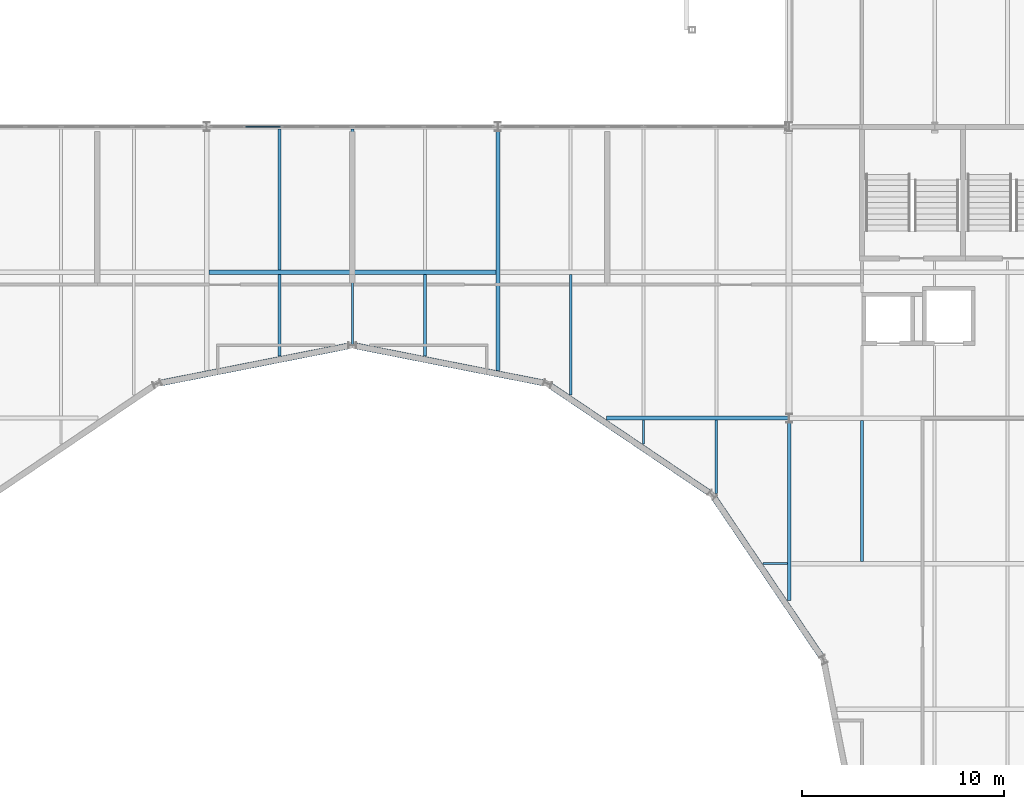
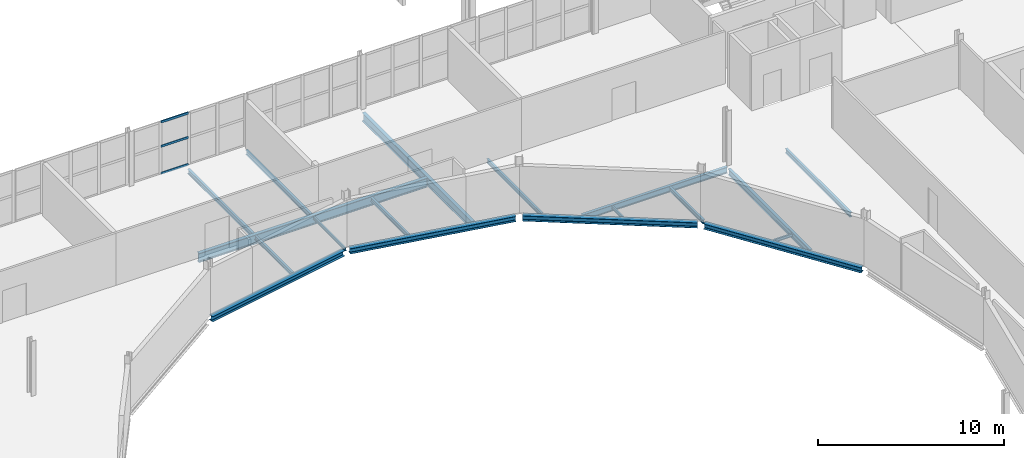
# One storey, part 42 of 124: 18 beams, 3 members, 1 element without a shape of its own.
"""IFC4 building model written with IfcOpenShell, lengths in metres."""

from ifc_helpers import new_model, si_unit, direction, frame, origin, origin_2d, place, context, subcontext, project, spatial, rectangle, i_section, extrude, material, material_profile, profile_set, type_object, element, aggregate, save


model = new_model("IFC4")

# Units and contexts
model_context = context("Model", 3, precision=1e-05, world=origin(), true_north=direction((0.0, 1.0)))
body_context = subcontext(model_context, "Body", "Model", "MODEL_VIEW")
ifc_project = project(units=[si_unit("LENGTHUNIT", "METRE"), si_unit("AREAUNIT", "SQUARE_METRE"), si_unit("VOLUMEUNIT", "CUBIC_METRE"), si_unit("PLANEANGLEUNIT", "RADIAN"), si_unit("MASSUNIT", "GRAM", prefix="KILO")], contexts=[model_context])

# Site, building, storey
site_placement = place(None, origin())
site = spatial("IfcSite", under=ifc_project, at=site_placement, CompositionType="ELEMENT")
building_placement = place(site_placement, origin())
building = spatial("IfcBuilding", under=site, at=building_placement, Name="Kupolbacken Congress Centre", CompositionType="ELEMENT")
storey_placement = place(building_placement, frame((0.0, 0.0, 10.800048828125)))
storey = spatial("IfcBuildingStorey", under=building, at=storey_placement, Name="L03", CompositionType="ELEMENT", Elevation=10.800048828125)

# Beams
ifc_material_1 = material(Name="Steel S355", Category="steel")
ifc_material_profile_1 = material_profile(ifc_material_1, i_section(OverallWidth=0.10009765625, OverallDepth=0.199951171875, WebThickness=0.005615234375, FlangeThickness=0.008544921875, FilletRadius=0.011962890625, at=origin_2d()), Name="IPE 200")
ifc_profile_set_1 = profile_set([ifc_material_profile_1], Name="Steel S355")
beam_type_1 = type_object("IfcBeamType", Name="B01 beam IPE 200", PredefinedType="BEAM", material=ifc_profile_set_1)
beam_1_placement = place(storey_placement, frame((63.50927734375, 100.800048828125, -0.280029296875), z_axis=(1.0, 0.0, 0.0), x_axis=(0.0, 1.0, 0.0)))
element("IfcBeam", 1, at=beam_1_placement, inside=storey, type_object=beam_type_1, Name="S/floor/P/L03/R059", PredefinedType="BEAM", context=body_context, shape_type="SweptSolid", body=[
    extrude(i_section(OverallWidth=0.10009765625, OverallDepth=0.199951171875, WebThickness=0.005615234375, FlangeThickness=0.008544921875, FilletRadius=0.011962890625, at=origin_2d()), origin(), (0.0, 0.0, 1.0), 1.20068359375),
])
beam_2_placement = place(storey_placement, frame((43.199951171875, 111.606689453125, -0.280029296875), z_axis=(0.0, 1.0, 0.0), x_axis=(-1.0, 0.0, 0.0)))
element("IfcBeam", 2, at=beam_2_placement, inside=storey, type_object=beam_type_1, Name="S/floor/P/L03/S118", PredefinedType="BEAM", context=body_context, shape_type="SweptSolid", body=[
    extrude(i_section(OverallWidth=0.10009765625, OverallDepth=0.199951171875, WebThickness=0.005615234375, FlangeThickness=0.008544921875, FilletRadius=0.011962890625, at=origin_2d()), origin(), (0.0, 0.0, 1.0), 3.4833984375),
])
beam_3_placement = place(storey_placement, frame((57.60009765625, 106.709228515625, -0.280029296875), z_axis=(0.0, 1.0, 0.0), x_axis=(-1.0, 0.0, 0.0)))
element("IfcBeam", 3, at=beam_3_placement, inside=storey, type_object=beam_type_1, Name="S/floor/P/L03/S131", PredefinedType="BEAM", context=body_context, shape_type="SweptSolid", body=[
    extrude(i_section(OverallWidth=0.10009765625, OverallDepth=0.199951171875, WebThickness=0.005615234375, FlangeThickness=0.008544921875, FilletRadius=0.011962890625, at=origin_2d()), origin(), (0.0, 0.0, 1.0), 1.20068359375),
])
ifc_material_2 = material(Name="Steel S355", Category="steel")
ifc_material_profile_2 = material_profile(ifc_material_2, i_section(OverallWidth=0.135009765625, OverallDepth=0.27001953125, WebThickness=0.006591796875, FlangeThickness=0.01025390625, FilletRadius=0.014892578125, at=origin_2d()), Name="IPE 270")
ifc_profile_set_2 = profile_set([ifc_material_profile_2], Name="Steel S355")
beam_type_2 = type_object("IfcBeamType", Name="B03 beam IPE 270", PredefinedType="BEAM", material=ifc_profile_set_2)
for number, where, z_axis, x_axis, name in (
    (4, (39.60009765625, 111.057373046875, -0.31494140625), (0.0, 1.0, 0.0), (-1.0, 0.0, 0.0), "S/floor/P/L03/S114"),
    (5, (46.800048828125, 111.057373046875, -0.31494140625), (0.0, 1.0, 0.0), (-1.0, 0.0, 0.0), "S/floor/P/L03/S122"),
):
    element("IfcBeam", number, at=place(storey_placement, frame(where, z_axis=z_axis, x_axis=x_axis)), inside=storey, type_object=beam_type_2, Name=name, PredefinedType="BEAM", context=body_context, shape_type="SweptSolid", body=[
        extrude(i_section(OverallWidth=0.135009765625, OverallDepth=0.27001953125, WebThickness=0.006591796875, FlangeThickness=0.01025390625, FilletRadius=0.014892578125, at=origin_2d()), origin(), (0.0, 0.0, 1.0), 4.03271484375),
    ])
beam_4_placement = place(storey_placement, frame((54.0, 109.150390625, -0.31494140625), z_axis=(0.0, 1.0, 0.0), x_axis=(-1.0, 0.0, 0.0)))
element("IfcBeam", 6, at=beam_4_placement, inside=storey, type_object=beam_type_2, Name="S/floor/P/L03/S126", PredefinedType="BEAM", context=body_context, shape_type="SweptSolid", body=[
    extrude(i_section(OverallWidth=0.135009765625, OverallDepth=0.27001953125, WebThickness=0.006591796875, FlangeThickness=0.01025390625, FilletRadius=0.014892578125, at=origin_2d()), origin(), (0.0, 0.0, 1.0), 5.939697265625),
])
beam_5_placement = place(storey_placement, frame((61.199951171875, 104.271728515625, -0.31494140625), z_axis=(0.0, 1.0, 0.0), x_axis=(-1.0, 0.0, 0.0)))
element("IfcBeam", 7, at=beam_5_placement, inside=storey, type_object=beam_type_2, Name="S/floor/P/L03/S137", PredefinedType="BEAM", context=body_context, shape_type="SweptSolid", body=[
    extrude(i_section(OverallWidth=0.135009765625, OverallDepth=0.27001953125, WebThickness=0.006591796875, FlangeThickness=0.01025390625, FilletRadius=0.014892578125, at=origin_2d()), origin(), (0.0, 0.0, 1.0), 3.63818359375),
])
ifc_material_3 = material(Name="Steel S355", Category="steel")
ifc_material_profile_3 = material_profile(ifc_material_3, i_section(OverallWidth=0.14990234375, OverallDepth=0.300048828125, WebThickness=0.007080078125, FlangeThickness=0.0107421875, FilletRadius=0.014892578125, at=origin_2d()), Name="IPE 300")
ifc_profile_set_3 = profile_set([ifc_material_profile_3], Name="Steel S355")
beam_type_3 = type_object("IfcBeamType", Name="B04 beam IPE 300", PredefinedType="BEAM", material=ifc_profile_set_3)
for number, where, z_axis, x_axis, name in (
    (8, (39.60009765625, 115.31005859375, -0.330078125), (0.0, 1.0, 0.0), (-1.0, 0.0, 0.0), "S/floor/P/L03/S115"),
    (9, (43.199951171875, 115.31005859375, -0.330078125), (0.0, 1.0, 0.0), (-1.0, 0.0, 0.0), "S/floor/P/L03/S119"),
    (10, (68.39990234375, 100.909912109375, -0.330078125), (0.0, 1.0, 0.0), (-1.0, 0.0, 0.0), "S/floor/P/L03/S173"),
):
    element("IfcBeam", number, at=place(storey_placement, frame(where, z_axis=z_axis, x_axis=x_axis)), inside=storey, type_object=beam_type_3, Name=name, PredefinedType="BEAM", context=body_context, shape_type="SweptSolid", body=[
        extrude(i_section(OverallWidth=0.14990234375, OverallDepth=0.300048828125, WebThickness=0.007080078125, FlangeThickness=0.0107421875, FilletRadius=0.014892578125, at=origin_2d()), origin(), (0.0, 0.0, 1.0), 6.97998046875),
    ])
ifc_material_4 = material(Name="Steel S355", Category="steel")
ifc_material_profile_4 = material_profile(ifc_material_4, i_section(OverallWidth=0.179931640625, OverallDepth=0.39990234375, WebThickness=0.008544921875, FlangeThickness=0.013427734375, FilletRadius=0.02099609375, at=origin_2d()), Name="IPE 400")
ifc_profile_set_4 = profile_set([ifc_material_profile_4], Name="Steel S355")
beam_type_4 = type_object("IfcBeamType", Name="B07 beam IPE 400", PredefinedType="BEAM", material=ifc_profile_set_4)
beam_6_placement = place(storey_placement, frame((64.800048828125, 98.970703125, -0.380126953125), z_axis=(0.0, 1.0, 0.0), x_axis=(-1.0, 0.0, 0.0)))
element("IfcBeam", 11, at=beam_6_placement, inside=storey, type_object=beam_type_4, Name="S/floor/P/L03/G030", PredefinedType="BEAM", context=body_context, shape_type="SweptSolid", body=[
    extrude(i_section(OverallWidth=0.179931640625, OverallDepth=0.39990234375, WebThickness=0.008544921875, FlangeThickness=0.013427734375, FilletRadius=0.02099609375, at=origin_2d()), origin(), (0.0, 0.0, 1.0), 8.80419921875),
])
beam_7_placement = place(storey_placement, frame((55.7705078125, 108.0, -0.380126953125), z_axis=(1.0, 0.0, 0.0), x_axis=(0.0, 1.0, 0.0)))
element("IfcBeam", 12, at=beam_7_placement, inside=storey, type_object=beam_type_4, Name="S/floor/P/L03/R063", PredefinedType="BEAM", context=body_context, shape_type="SweptSolid", body=[
    extrude(i_section(OverallWidth=0.179931640625, OverallDepth=0.39990234375, WebThickness=0.008544921875, FlangeThickness=0.013427734375, FilletRadius=0.02099609375, at=origin_2d()), origin(), (0.0, 0.0, 1.0), 9.0224609375),
])
ifc_material_5 = material(Name="Steel S355", Category="steel")
ifc_material_profile_5 = material_profile(ifc_material_5, i_section(OverallWidth=0.2099609375, OverallDepth=0.550048828125, WebThickness=0.010986328125, FlangeThickness=0.01708984375, FilletRadius=0.02392578125, at=origin_2d()), Name="IPE 550")
ifc_profile_set_5 = profile_set([ifc_material_profile_5], Name="Steel S355")
beam_type_5 = type_object("IfcBeamType", Name="B10 beam IPE 550", PredefinedType="BEAM", material=ifc_profile_set_5)
beam_8_placement = place(storey_placement, frame((50.39990234375, 110.35595703125, -0.455078125), z_axis=(0.0, 1.0, 0.0), x_axis=(-1.0, 0.0, 0.0)))
element("IfcBeam", 13, at=beam_8_placement, inside=storey, type_object=beam_type_5, Name="S/floor/P/L03/G028", PredefinedType="BEAM", context=body_context, shape_type="SweptSolid", body=[
    extrude(i_section(OverallWidth=0.2099609375, OverallDepth=0.550048828125, WebThickness=0.010986328125, FlangeThickness=0.01708984375, FilletRadius=0.02392578125, at=origin_2d()), origin(), (0.0, 0.0, 1.0), 11.819091796875),
])
ifc_material_6 = material(Name="Steel S355", Category="steel")
ifc_material_profile_6 = material_profile(ifc_material_6, i_section(OverallWidth=0.219970703125, OverallDepth=0.60009765625, WebThickness=0.011962890625, FlangeThickness=0.01904296875, FilletRadius=0.02392578125, at=origin_2d()), Name="IPE 600")
ifc_profile_set_6 = profile_set([ifc_material_profile_6], Name="Steel S355")
beam_type_6 = type_object("IfcBeamType", Name="B11 beam IPE 600", PredefinedType="BEAM", material=ifc_profile_set_6)
beam_9_placement = place(storey_placement, frame((36.10498046875, 115.199951171875, -0.47998046875), z_axis=(1.0, 0.0, 0.0), x_axis=(0.0, 1.0, 0.0)))
element("IfcBeam", 14, at=beam_9_placement, inside=storey, type_object=beam_type_6, Name="S/floor/P/L03/R067", PredefinedType="BEAM", context=body_context, shape_type="SweptSolid", body=[
    extrude(i_section(OverallWidth=0.219970703125, OverallDepth=0.60009765625, WebThickness=0.011962890625, FlangeThickness=0.01904296875, FilletRadius=0.02392578125, at=origin_2d()), origin(), (0.0, 0.0, 1.0), 14.18994140625),
])
ifc_material_7 = material(Name="Steel S355", Category="steel")
ifc_material_profile_7 = material_profile(ifc_material_7, i_section(OverallWidth=0.300048828125, OverallDepth=0.35009765625, WebThickness=0.010009765625, FlangeThickness=0.017578125, FilletRadius=0.027099609375, at=origin_2d()), Name="HEA 360")
ifc_profile_set_7 = profile_set([ifc_material_profile_7], Name="Steel S355")
beam_type_7 = type_object("IfcBeamType", Name="B13 beam HEA 360", PredefinedType="BEAM", material=ifc_profile_set_7)
beam_10_placement = place(storey_placement, frame((66.3857421875, 96.21923828125, -0.35498046875), z_axis=(-0.559384311532, 0.828908434034, 0.0), x_axis=(-0.828908434034, -0.559384311532, 0.0)))
element("IfcBeam", 15, at=beam_10_placement, inside=storey, type_object=beam_type_7, Name="S/floor/P/L03/C002", PredefinedType="BEAM", context=body_context, shape_type="SweptSolid", body=[
    extrude(i_section(OverallWidth=0.300048828125, OverallDepth=0.35009765625, WebThickness=0.010009765625, FlangeThickness=0.017578125, FilletRadius=0.027099609375, at=origin_2d()), origin(), (0.0, 0.0, 1.0), 9.424072265625),
])
beam_11_placement = place(storey_placement, frame((60.8310546875, 104.31396484375, -0.35498046875), z_axis=(-0.828896422049, 0.559402110752, 0.0), x_axis=(-0.559402110752, -0.828896422049, 0.0)))
element("IfcBeam", 16, at=beam_11_placement, inside=storey, type_object=beam_type_7, Name="S/floor/P/L03/C003", PredefinedType="BEAM", context=body_context, shape_type="SweptSolid", body=[
    extrude(i_section(OverallWidth=0.300048828125, OverallDepth=0.35009765625, WebThickness=0.010009765625, FlangeThickness=0.017578125, FilletRadius=0.027099609375, at=origin_2d()), origin(), (0.0, 0.0, 1.0), 9.42431640625),
])
beam_12_placement = place(storey_placement, frame((52.64990234375, 109.739501953125, -0.35498046875), z_axis=(-0.981166868204, 0.193162047876, 0.0), x_axis=(-0.193162047876, -0.981166868204, 0.0)))
element("IfcBeam", 17, at=beam_12_placement, inside=storey, type_object=beam_type_7, Name="S/floor/P/L03/C004", PredefinedType="BEAM", context=body_context, shape_type="SweptSolid", body=[
    extrude(i_section(OverallWidth=0.300048828125, OverallDepth=0.35009765625, WebThickness=0.010009765625, FlangeThickness=0.017578125, FilletRadius=0.027099609375, at=origin_2d()), origin(), (0.0, 0.0, 1.0), 9.427490234375),
])
beam_13_placement = place(storey_placement, frame((43.0, 111.560546875, -0.35498046875), z_axis=(-0.981165901927, -0.193166956013, 0.0), x_axis=(0.193166956013, -0.981165901927, 0.0)))
element("IfcBeam", 18, at=beam_13_placement, inside=storey, type_object=beam_type_7, Name="S/floor/P/L03/C005", PredefinedType="BEAM", context=body_context, shape_type="SweptSolid", body=[
    extrude(i_section(OverallWidth=0.300048828125, OverallDepth=0.35009765625, WebThickness=0.010009765625, FlangeThickness=0.017578125, FilletRadius=0.027099609375, at=origin_2d()), origin(), (0.0, 0.0, 1.0), 9.42724609375),
])

# Curtain wall, members
ifc_material_8 = material(Name="Aluminium mullion-transom frame with glass", Category="aluminium")
curtain_wall_type = type_object("IfcCurtainWallType", Name="CW1 curtain wall 7200x3600", PredefinedType="NOTDEFINED", material=ifc_material_8)
curtain_wall_placement = place(storey_placement, origin())
curtain_wall = element("IfcCurtainWall", 19, at=curtain_wall_placement, inside=storey, type_object=curtain_wall_type, Name="E/P/N/L03/377", PredefinedType="NOTDEFINED")
ifc_material_9 = material(Name="Aluminium alloy", Category="aluminium")
ifc_material_profile_8 = material_profile(ifc_material_9, rectangle(XDim=0.050048828125, YDim=0.14990234375, at=origin_2d()), Name="50 x 150")
ifc_profile_set_8 = profile_set([ifc_material_profile_8], Name="Aluminium alloy")
member_type = type_object("IfcMemberType", Name="TR2 transom 50x150", PredefinedType="MULLION", material=ifc_profile_set_8)
member_1_placement = place(storey_placement, frame((39.64990234375, 122.39990234375, 0.02490234375), z_axis=(-1.0, 0.0, 0.0), x_axis=(0.0, -1.0, 0.0)))
member_1 = element("IfcMember", 20, at=member_1_placement, type_object=member_type, Name="CW1 transom 3.1", PredefinedType="MULLION", context=body_context, shape_type="SweptSolid", body=[
    extrude(rectangle(XDim=0.050048828125, YDim=0.14990234375, at=origin_2d()), origin(), (0.0, 0.0, 1.0), 1.71240234375),
])
member_2_placement = place(storey_placement, frame((39.64990234375, 122.39990234375, 1.800048828125), z_axis=(-1.0, 0.0, 0.0), x_axis=(0.0, -1.0, 0.0)))
member_2 = element("IfcMember", 21, at=member_2_placement, type_object=member_type, Name="CW1 transom 3.2", PredefinedType="MULLION", context=body_context, shape_type="SweptSolid", body=[
    extrude(rectangle(XDim=0.050048828125, YDim=0.14990234375, at=origin_2d()), origin(), (0.0, 0.0, 1.0), 1.71240234375),
])
member_3_placement = place(storey_placement, frame((39.64990234375, 122.39990234375, 3.39501953125), z_axis=(-1.0, 0.0, 0.0), x_axis=(0.0, -1.0, 0.0)))
member_3 = element("IfcMember", 22, at=member_3_placement, type_object=member_type, Name="CW1 transom 3.3", PredefinedType="MULLION", context=body_context, shape_type="SweptSolid", body=[
    extrude(rectangle(XDim=0.050048828125, YDim=0.14990234375, at=origin_2d()), origin(), (0.0, 0.0, 1.0), 1.71240234375),
])
aggregate(curtain_wall, [member_1, member_2, member_3])

save(model, "model.ifc")
